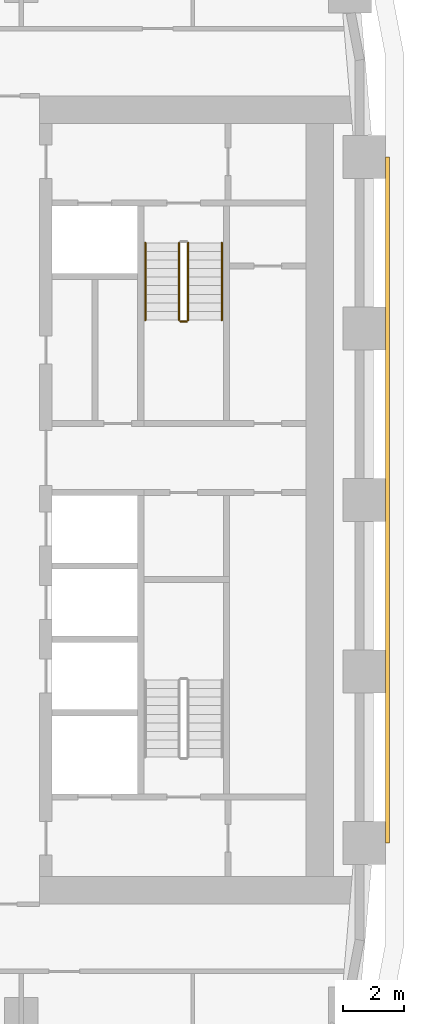
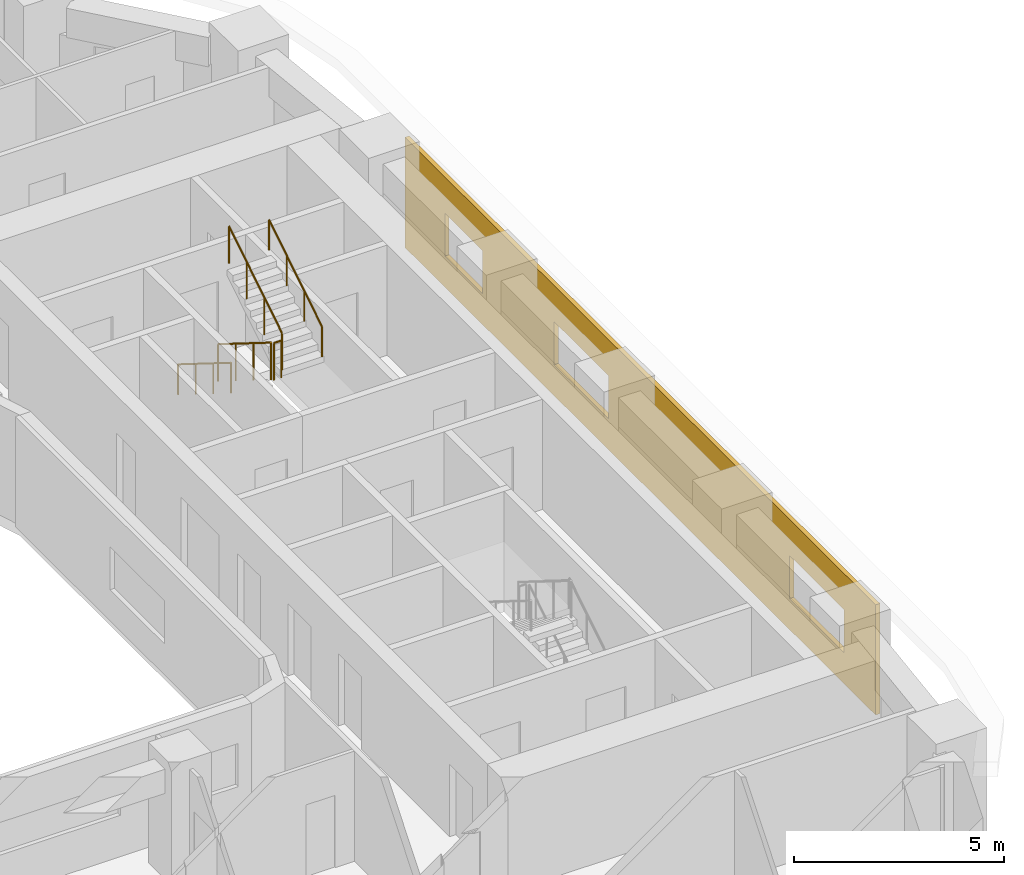
# One storey, part 19 of 22: 5 railings, 1 covering.
"""IFC4 building model written with IfcOpenShell, lengths in metres."""

from ifc_helpers import new_model, si_unit, direction, frame, origin, origin_2d, place, context, subcontext, project, spatial, polyline, circle, outline, extrude, material, layer, layer_set, type_object, element, save


model = new_model("IFC4")

# Units and contexts
model_context = context("Model", 3, precision=1e-05, world=origin(), true_north=direction((0.0, 1.0)))
body_context = subcontext(model_context, "Body", "Model", "MODEL_VIEW")
ifc_project = project(units=[si_unit("LENGTHUNIT", "METRE"), si_unit("AREAUNIT", "SQUARE_METRE"), si_unit("VOLUMEUNIT", "CUBIC_METRE"), si_unit("PLANEANGLEUNIT", "RADIAN"), si_unit("MASSUNIT", "GRAM", prefix="KILO")], contexts=[model_context])

# Site, building, storey
site_placement = place(None, origin())
site = spatial("IfcSite", under=ifc_project, at=site_placement, CompositionType="ELEMENT")
building_placement = place(site_placement, origin())
building = spatial("IfcBuilding", under=site, at=building_placement, Name="Kiln Ring Residences", CompositionType="ELEMENT")
storey_placement = place(building_placement, frame((0.0, 0.0, 62.0)))
storey = spatial("IfcBuildingStorey", under=building, at=storey_placement, Name="L15", CompositionType="ELEMENT", Elevation=62.0)

# Railings
ifc_material_1 = material(Name="Stainless steel", Category="steel")
railing_type_1 = type_object("IfcRailingType", Name="CORE-STAIR-GUARD", PredefinedType="GUARDRAIL", material=ifc_material_1)
railing_1_placement = place(storey_placement, frame((21.949951171875, 8.39990234375, 0.175048828125)))
element("IfcRailing", 1, at=railing_1_placement, inside=storey, type_object=railing_type_1, Name="L15 E-STN stair guard 1", PredefinedType="GUARDRAIL", context=body_context, shape_type="SweptSolid", body=[
    extrude(circle(Radius=0.02392578125, at=origin_2d()), frame((0.0, 0.0, 1.076171875), z_axis=(0.0, -0.848007534815, 0.529984170421), x_axis=(1.0, 0.0, 0.0)), (0.0, 0.0, 1.0), 2.9716796875),
    extrude(circle(Radius=0.02099609375, at=origin_2d()), origin(), (0.0, 0.0, 1.0), 1.052001953125),
    extrude(circle(Radius=0.02099609375, at=origin_2d()), frame((0.0, -0.840087890625, 0.52490234375)), (0.0, 0.0, 1.0), 1.052001953125),
    extrude(circle(Radius=0.02099609375, at=origin_2d()), frame((0.0, -1.679931640625, 1.050048828125)), (0.0, 0.0, 1.0), 1.052001953125),
    extrude(circle(Radius=0.02099609375, at=origin_2d()), frame((0.0, -2.52001953125, 1.574951171875)), (0.0, 0.0, 1.0), 1.052001953125),
])
railing_2_placement = place(storey_placement, frame((22.0, 5.830078125, 1.75)))
element("IfcRailing", 2, at=railing_2_placement, inside=storey, type_object=railing_type_1, Name="L15 E-STN stair guard 2", PredefinedType="GUARDRAIL", context=body_context, shape_type="SweptSolid", body=[
    extrude(circle(Radius=0.02392578125, at=origin_2d()), frame((0.0, 0.0, 1.076171875), z_axis=(1.0, 0.0, 0.0), x_axis=(0.0, 1.0, 0.0)), (0.0, 0.0, 1.0), 0.199951171875),
    extrude(circle(Radius=0.02099609375, at=origin_2d()), origin(), (0.0, 0.0, 1.0), 1.052001953125),
    extrude(circle(Radius=0.02099609375, at=origin_2d()), frame((0.199951171875, 0.0, 0.0)), (0.0, 0.0, 1.0), 1.052001953125),
])
railing_3_placement = place(storey_placement, frame((22.25, 5.8798828125, 1.925048828125)))
element("IfcRailing", 3, at=railing_3_placement, inside=storey, type_object=railing_type_1, Name="L15 E-STN stair guard 3", PredefinedType="GUARDRAIL", context=body_context, shape_type="SweptSolid", body=[
    extrude(circle(Radius=0.02392578125, at=origin_2d()), frame((0.0, 0.0, 1.076171875), z_axis=(0.0, 0.848007534815, 0.529984170421), x_axis=(-1.0, 0.0, 0.0)), (0.0, 0.0, 1.0), 2.9716796875),
    extrude(circle(Radius=0.02099609375, at=origin_2d()), origin(), (0.0, 0.0, 1.0), 1.052001953125),
    extrude(circle(Radius=0.02099609375, at=origin_2d()), frame((0.0, 0.840087890625, 0.52490234375)), (0.0, 0.0, 1.0), 1.052001953125),
    extrude(circle(Radius=0.02099609375, at=origin_2d()), frame((0.0, 1.679931640625, 1.050048828125)), (0.0, 0.0, 1.0), 1.052001953125),
    extrude(circle(Radius=0.02099609375, at=origin_2d()), frame((0.0, 2.52001953125, 1.574951171875)), (0.0, 0.0, 1.0), 1.052001953125),
])
ifc_material_2 = material(Name="Stainless steel", Category="steel")
railing_type_2 = type_object("IfcRailingType", Name="CORE-STAIR-HANDRAIL", PredefinedType="HANDRAIL", material=ifc_material_2)
railing_4_placement = place(storey_placement, frame((20.85009765625, 8.39990234375, 0.175048828125)))
element("IfcRailing", 4, at=railing_4_placement, inside=storey, type_object=railing_type_2, Name="L15 E-STN stair handrail 1", PredefinedType="HANDRAIL", context=body_context, shape_type="SweptSolid", body=[
    extrude(circle(Radius=0.02392578125, at=origin_2d()), frame((0.0, 0.0, 0.8759765625), z_axis=(0.0, -0.848007534815, 0.529984170421), x_axis=(1.0, 0.0, 0.0)), (0.0, 0.0, 1.0), 2.9716796875),
    extrude(circle(Radius=0.02099609375, at=origin_2d()), origin(), (0.0, 0.0, 1.0), 0.851806640625),
    extrude(circle(Radius=0.02099609375, at=origin_2d()), frame((0.0, -0.840087890625, 0.52490234375)), (0.0, 0.0, 1.0), 0.851806640625),
    extrude(circle(Radius=0.02099609375, at=origin_2d()), frame((0.0, -1.679931640625, 1.050048828125)), (0.0, 0.0, 1.0), 0.851806640625),
    extrude(circle(Radius=0.02099609375, at=origin_2d()), frame((0.0, -2.52001953125, 1.574951171875)), (0.0, 0.0, 1.0), 0.851806640625),
])
railing_5_placement = place(storey_placement, frame((23.35009765625, 5.8798828125, 1.925048828125)))
element("IfcRailing", 5, at=railing_5_placement, inside=storey, type_object=railing_type_2, Name="L15 E-STN stair handrail 2", PredefinedType="HANDRAIL", context=body_context, shape_type="SweptSolid", body=[
    extrude(circle(Radius=0.02392578125, at=origin_2d()), frame((0.0, 0.0, 0.8759765625), z_axis=(0.0, 0.848007534815, 0.529984170421), x_axis=(-1.0, 0.0, 0.0)), (0.0, 0.0, 1.0), 2.9716796875),
    extrude(circle(Radius=0.02099609375, at=origin_2d()), origin(), (0.0, 0.0, 1.0), 0.851806640625),
    extrude(circle(Radius=0.02099609375, at=origin_2d()), frame((0.0, 0.840087890625, 0.52490234375)), (0.0, 0.0, 1.0), 0.851806640625),
    extrude(circle(Radius=0.02099609375, at=origin_2d()), frame((0.0, 1.679931640625, 1.050048828125)), (0.0, 0.0, 1.0), 0.851806640625),
    extrude(circle(Radius=0.02099609375, at=origin_2d()), frame((0.0, 2.52001953125, 1.574951171875)), (0.0, 0.0, 1.0), 0.851806640625),
])

# Covering
ifc_material_3 = material(Name="Brick masonry, dark clay brick", Category="masonry")
ifc_layer = layer(ifc_material_3, 0.1201171875)
ifc_layer_set = layer_set([ifc_layer], Name="RAINSCREEN PANEL 120")
covering_type = type_object("IfcCoveringType", Name="RAINSCREEN PANEL 120", PredefinedType="CLADDING", material=ifc_layer_set)
covering_placement = place(storey_placement, frame((28.760009765625, -11.199951171875, 0.0), z_axis=(0.0, 0.0, 1.0), x_axis=(0.0, 1.0, 0.0)))
element("IfcCovering", 6, at=covering_placement, inside=storey, type_object=covering_type, Name="RAINSCREEN L15", PredefinedType="CLADDING", context=body_context, shape_type="SweptSolid", body=[
    extrude(outline(polyline([(0.0, 0.0), (22.39990234375, 0.0), (22.39990234375, 3.199951171875), (0.0, 3.199951171875), (0.0, 0.0)]), holes=[polyline([(4.10009765625, 2.14990234375), (1.5, 2.14990234375), (1.5, 0.89990234375), (4.10009765625, 0.89990234375), (4.10009765625, 2.14990234375)]), polyline([(15.300048828125, 0.89990234375), (15.300048828125, 2.14990234375), (12.699951171875, 2.14990234375), (12.699951171875, 0.89990234375), (15.300048828125, 0.89990234375)]), polyline([(20.5, 0.89990234375), (20.5, 2.14990234375), (18.699951171875, 2.14990234375), (18.699951171875, 0.89990234375), (20.5, 0.89990234375)])]), frame((0.0, 0.06005859375, 0.0), z_axis=(0.0, -1.0, 0.0), x_axis=(1.0, 0.0, 0.0)), (0.0, 0.0, 1.0), 0.1201171875),
])

save(model, "model.ifc")
